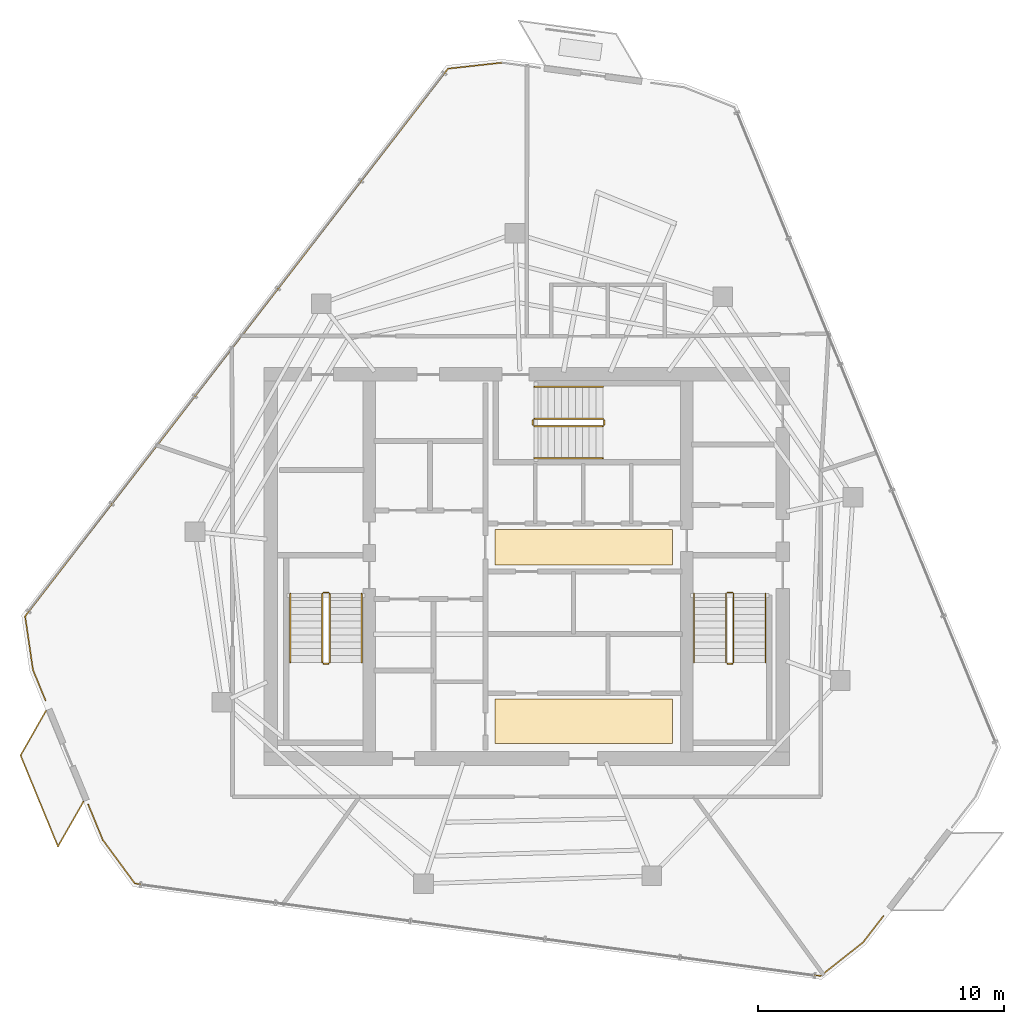
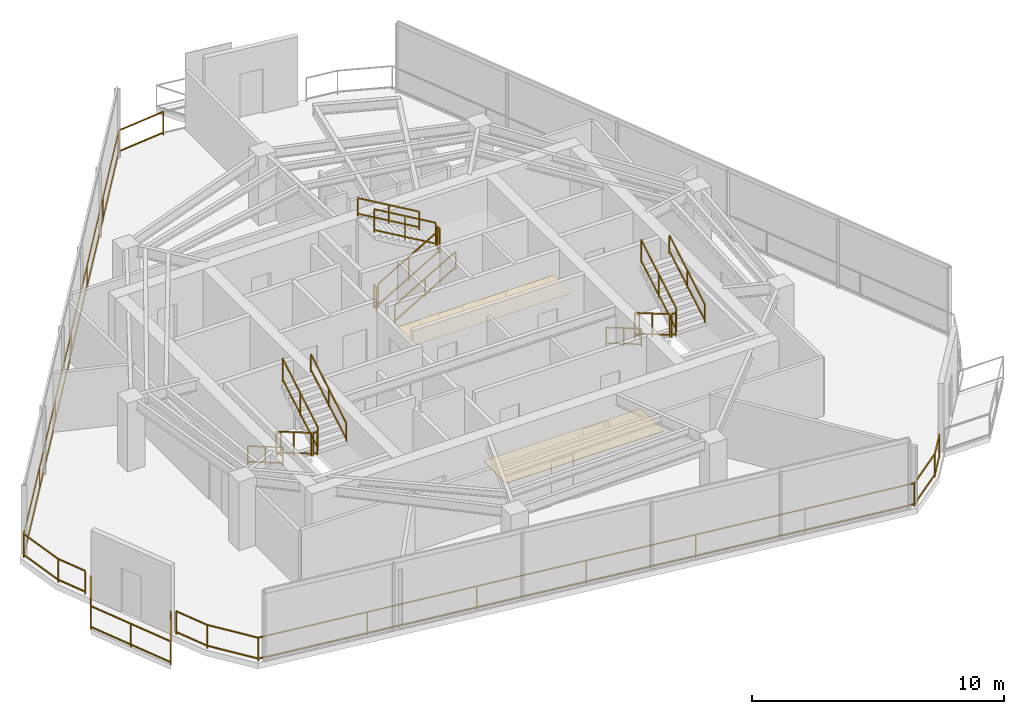
# One storey, part 18 of 19: 21 railings, 2 coverings.
"""IFC4 building model written with IfcOpenShell, lengths in metres."""

from ifc_helpers import new_model, si_unit, direction, frame, origin, origin_2d, place, context, subcontext, project, spatial, rectangle, extrude, material, layer, layer_set, type_object, element, save


model = new_model("IFC4")

# Units and contexts
model_context = context("Model", 3, precision=1e-05, world=origin(), true_north=direction((0.0, 1.0)))
body_context = subcontext(model_context, "Body", "Model", "MODEL_VIEW")
ifc_project = project(units=[si_unit("LENGTHUNIT", "METRE"), si_unit("AREAUNIT", "SQUARE_METRE"), si_unit("VOLUMEUNIT", "CUBIC_METRE"), si_unit("PLANEANGLEUNIT", "RADIAN"), si_unit("MASSUNIT", "GRAM", prefix="KILO")], contexts=[model_context])

# Site, building, storey
site_placement = place(None, origin())
site = spatial("IfcSite", under=ifc_project, at=site_placement, CompositionType="ELEMENT")
building_placement = place(site_placement, origin())
building = spatial("IfcBuilding", under=site, at=building_placement, Name="Qarnah Convention Tower", CompositionType="ELEMENT")
storey_placement = place(building_placement, frame((0.0, 0.0, 264.300048828125)))
storey = spatial("IfcBuildingStorey", under=building, at=storey_placement, Name="L71", CompositionType="ELEMENT", Elevation=264.300048828125)

# Coverings
ifc_material_1 = material(Name="Mineral fibre acoustic ceiling")
ifc_layer_1 = layer(ifc_material_1, 0.02001953125)
ifc_layer_set_1 = layer_set([ifc_layer_1], Name="Mineral fibre acoustic ceiling")
covering_type_1 = type_object("IfcCoveringType", Name="COV-CEIL-20", PredefinedType="CEILING", material=ifc_layer_set_1)
covering_1_placement = place(storey_placement, frame((39.52001953125, 27.179931640625, 2.2900390625), z_axis=(0.0, 0.0, 1.0), x_axis=(1.0, 0.0, 0.0)))
element("IfcCovering", 1, at=covering_1_placement, inside=storey, type_object=covering_type_1, Name="L71 lift lobby acoustic ceiling", PredefinedType="CEILING", context=body_context, shape_type="SweptSolid", body=[
    extrude(rectangle(XDim=7.199951171875, YDim=1.449951171875, at=origin_2d()), origin(), (0.0, 0.0, 1.0), 0.02001953125),
])
ifc_material_2 = material(Name="Porcelain stone floor tile", Category="masonry")
ifc_layer_2 = layer(ifc_material_2, 0.02001953125)
ifc_layer_set_2 = layer_set([ifc_layer_2], Name="Porcelain stone floor tile")
covering_type_2 = type_object("IfcCoveringType", Name="COV-FLOOR-20", PredefinedType="FLOORING", material=ifc_layer_set_2)
covering_2_placement = place(storey_placement, frame((39.52001953125, 20.1201171875, 0.0), z_axis=(0.0, 0.0, 1.0), x_axis=(1.0, 0.0, 0.0)))
element("IfcCovering", 2, at=covering_2_placement, inside=storey, type_object=covering_type_2, Name="L71 lift lobby porcelain stone flooring", PredefinedType="FLOORING", context=body_context, shape_type="SweptSolid", body=[
    extrude(rectangle(XDim=7.199951171875, YDim=1.800048828125, at=origin_2d()), origin(), (0.0, 0.0, 1.0), 0.02001953125),
])

# Railings
ifc_material_3 = material(Name="Black anodised aluminium", Category="aluminium")
railing_type_1 = type_object("IfcRailingType", Name="RL-EXT-GUARD-1150", PredefinedType="GUARDRAIL", material=ifc_material_3)
railing_1_placement = place(storey_placement, frame((51.68701171875, 12.197998046875, 0.0)))
element("IfcRailing", 3, at=railing_1_placement, inside=storey, type_object=railing_type_1, Name="L71 slab-edge perimeter safety guard 03", PredefinedType="GUARDRAIL", context=body_context, shape_type="SweptSolid", body=[
    extrude(rectangle(XDim=0.048095703125, YDim=0.048095703125, at=origin_2d()), frame((0.0, 0.0, 1.1259765625), z_axis=(-0.611137872863, -0.791524162836, 0.0), x_axis=(0.791524162836, -0.611137872863, 0.0)), (0.0, 0.0, 1.0), 1.3466796875),
    extrude(rectangle(XDim=0.048095703125, YDim=0.048095703125, at=origin_2d()), frame((0.0, 0.0, 0.1201171875), z_axis=(-0.611137872863, -0.791524162836, 0.0), x_axis=(0.791524162836, -0.611137872863, 0.0)), (0.0, 0.0, 1.0), 1.3466796875),
    extrude(rectangle(XDim=0.048095703125, YDim=0.048095703125, at=origin_2d()), frame((-0.822998046875, -1.06591796875, 1.1259765625), z_axis=(-0.784590091543, -0.620014829059, 0.0), x_axis=(0.620014829059, -0.784590091543, 0.0)), (0.0, 0.0, 1.0), 2.199951171875),
    extrude(rectangle(XDim=0.048095703125, YDim=0.048095703125, at=origin_2d()), frame((-0.822998046875, -1.06591796875, 0.1201171875), z_axis=(-0.784590091543, -0.620014829059, 0.0), x_axis=(0.620014829059, -0.784590091543, 0.0)), (0.0, 0.0, 1.0), 2.199951171875),
    extrude(rectangle(XDim=0.048095703125, YDim=0.048095703125, at=origin_2d()), frame((-2.549072265625, -2.429931640625, 1.1259765625), z_axis=(-0.991027103975, 0.133661060844, 0.0), x_axis=(-0.133661060844, -0.991027103975, 0.0)), (0.0, 0.0, 1.0), 28.107177734375),
    extrude(rectangle(XDim=0.048095703125, YDim=0.048095703125, at=origin_2d()), frame((-2.549072265625, -2.429931640625, 0.1201171875), z_axis=(-0.991027103975, 0.133661060844, 0.0), x_axis=(-0.133661060844, -0.991027103975, 0.0)), (0.0, 0.0, 1.0), 28.107177734375),
    extrude(rectangle(XDim=0.048095703125, YDim=0.048095703125, at=origin_2d()), frame((-30.404052734375, 1.326904296875, 1.1259765625), z_axis=(-0.5923544295, 0.805677497422, 0.0), x_axis=(-0.805677497422, -0.5923544295, 0.0)), (0.0, 0.0, 1.0), 2.19970703125),
    extrude(rectangle(XDim=0.048095703125, YDim=0.048095703125, at=origin_2d()), frame((-30.404052734375, 1.326904296875, 0.1201171875), z_axis=(-0.5923544295, 0.805677497422, 0.0), x_axis=(-0.805677497422, -0.5923544295, 0.0)), (0.0, 0.0, 1.0), 2.19970703125),
    extrude(rectangle(XDim=0.048095703125, YDim=0.048095703125, at=origin_2d()), frame((-31.70703125, 3.09912109375, 1.1259765625), z_axis=(-0.380048161035, 0.924966699559, 0.0), x_axis=(-0.924966699559, -0.380048161035, 0.0)), (0.0, 0.0, 1.0), 1.557861328125),
    extrude(rectangle(XDim=0.048095703125, YDim=0.048095703125, at=origin_2d()), frame((-31.70703125, 3.09912109375, 0.1201171875), z_axis=(-0.380048161035, 0.924966699559, 0.0), x_axis=(-0.924966699559, -0.380048161035, 0.0)), (0.0, 0.0, 1.0), 1.557861328125),
    extrude(rectangle(XDim=0.0419921875, YDim=0.0419921875, at=origin_2d()), origin(), (0.0, 0.0, 1.0), 1.101806640625),
    extrude(rectangle(XDim=0.0419921875, YDim=0.0419921875, at=origin_2d()), frame((-0.822998046875, -1.06591796875, 0.0)), (0.0, 0.0, 1.0), 1.101806640625),
    extrude(rectangle(XDim=0.0419921875, YDim=0.0419921875, at=origin_2d()), frame((-2.549072265625, -2.429931640625, 0.0)), (0.0, 0.0, 1.0), 1.101806640625),
    extrude(rectangle(XDim=0.0419921875, YDim=0.0419921875, at=origin_2d()), frame((-7.191650390625, -1.8037109375, 0.0)), (0.0, 0.0, 1.0), 1.101806640625),
    extrude(rectangle(XDim=0.0419921875, YDim=0.0419921875, at=origin_2d()), frame((-11.833984375, -1.177734375, 0.0)), (0.0, 0.0, 1.0), 1.101806640625),
    extrude(rectangle(XDim=0.0419921875, YDim=0.0419921875, at=origin_2d()), frame((-16.4765625, -0.551513671875, 0.0)), (0.0, 0.0, 1.0), 1.101806640625),
    extrude(rectangle(XDim=0.0419921875, YDim=0.0419921875, at=origin_2d()), frame((-21.119140625, 0.07470703125, 0.0)), (0.0, 0.0, 1.0), 1.101806640625),
    extrude(rectangle(XDim=0.0419921875, YDim=0.0419921875, at=origin_2d()), frame((-25.761474609375, 0.70068359375, 0.0)), (0.0, 0.0, 1.0), 1.101806640625),
    extrude(rectangle(XDim=0.0419921875, YDim=0.0419921875, at=origin_2d()), frame((-30.404052734375, 1.326904296875, 0.0)), (0.0, 0.0, 1.0), 1.101806640625),
    extrude(rectangle(XDim=0.0419921875, YDim=0.0419921875, at=origin_2d()), frame((-31.70703125, 3.09912109375, 0.0)), (0.0, 0.0, 1.0), 1.101806640625),
    extrude(rectangle(XDim=0.0419921875, YDim=0.0419921875, at=origin_2d()), frame((-32.299072265625, 4.5400390625, 0.0)), (0.0, 0.0, 1.0), 1.101806640625),
])
railing_2_placement = place(storey_placement, frame((17.656982421875, 20.9560546875, 0.0)))
element("IfcRailing", 4, at=railing_2_placement, inside=storey, type_object=railing_type_1, Name="L71 slab-edge perimeter safety guard 04", PredefinedType="GUARDRAIL", context=body_context, shape_type="SweptSolid", body=[
    extrude(rectangle(XDim=0.048095703125, YDim=0.048095703125, at=origin_2d()), frame((0.0, 0.0, 1.1259765625), z_axis=(-0.379982655387, 0.924993611656, 0.0), x_axis=(-0.924993611656, -0.379982655387, 0.0)), (0.0, 0.0, 1.0), 1.3447265625),
    extrude(rectangle(XDim=0.048095703125, YDim=0.048095703125, at=origin_2d()), frame((0.0, 0.0, 0.1201171875), z_axis=(-0.379982655387, 0.924993611656, 0.0), x_axis=(-0.924993611656, -0.379982655387, 0.0)), (0.0, 0.0, 1.0), 1.3447265625),
    extrude(rectangle(XDim=0.048095703125, YDim=0.048095703125, at=origin_2d()), frame((-0.510986328125, 1.243896484375, 1.1259765625), z_axis=(-0.145024391698, 0.989428080162, 0.0), x_axis=(-0.989428080162, -0.145024391698, 0.0)), (0.0, 0.0, 1.0), 2.2001953125),
    extrude(rectangle(XDim=0.048095703125, YDim=0.048095703125, at=origin_2d()), frame((-0.510986328125, 1.243896484375, 0.1201171875), z_axis=(-0.145024391698, 0.989428080162, 0.0), x_axis=(-0.989428080162, -0.145024391698, 0.0)), (0.0, 0.0, 1.0), 2.2001953125),
    extrude(rectangle(XDim=0.048095703125, YDim=0.048095703125, at=origin_2d()), frame((-0.830078125, 3.4208984375, 1.1259765625), z_axis=(0.611263563104, 0.791427101142, 0.0), x_axis=(-0.791427101142, 0.611263563104, 0.0)), (0.0, 0.0, 1.0), 28.107666015625),
    extrude(rectangle(XDim=0.048095703125, YDim=0.048095703125, at=origin_2d()), frame((-0.830078125, 3.4208984375, 0.1201171875), z_axis=(0.611263563104, 0.791427101142, 0.0), x_axis=(-0.791427101142, 0.611263563104, 0.0)), (0.0, 0.0, 1.0), 28.107666015625),
    extrude(rectangle(XDim=0.048095703125, YDim=0.048095703125, at=origin_2d()), frame((16.35107421875, 25.666015625, 1.1259765625), z_axis=(0.993882380956, 0.110443708851, 0.0), x_axis=(-0.110443708851, 0.993882380956, 0.0)), (0.0, 0.0, 1.0), 2.199462890625),
    extrude(rectangle(XDim=0.048095703125, YDim=0.048095703125, at=origin_2d()), frame((16.35107421875, 25.666015625, 0.1201171875), z_axis=(0.993882380956, 0.110443708851, 0.0), x_axis=(-0.110443708851, 0.993882380956, 0.0)), (0.0, 0.0, 1.0), 2.199462890625),
    extrude(rectangle(XDim=0.0419921875, YDim=0.0419921875, at=origin_2d()), origin(), (0.0, 0.0, 1.0), 1.101806640625),
    extrude(rectangle(XDim=0.0419921875, YDim=0.0419921875, at=origin_2d()), frame((-0.510986328125, 1.243896484375, 0.0)), (0.0, 0.0, 1.0), 1.101806640625),
    extrude(rectangle(XDim=0.0419921875, YDim=0.0419921875, at=origin_2d()), frame((-0.830078125, 3.4208984375, 0.0)), (0.0, 0.0, 1.0), 1.101806640625),
    extrude(rectangle(XDim=0.0419921875, YDim=0.0419921875, at=origin_2d()), frame((2.033447265625, 7.12841796875, 0.0)), (0.0, 0.0, 1.0), 1.101806640625),
    extrude(rectangle(XDim=0.0419921875, YDim=0.0419921875, at=origin_2d()), frame((4.89697265625, 10.8359375, 0.0)), (0.0, 0.0, 1.0), 1.101806640625),
    extrude(rectangle(XDim=0.0419921875, YDim=0.0419921875, at=origin_2d()), frame((7.760498046875, 14.54345703125, 0.0)), (0.0, 0.0, 1.0), 1.101806640625),
    extrude(rectangle(XDim=0.0419921875, YDim=0.0419921875, at=origin_2d()), frame((10.6240234375, 18.2509765625, 0.0)), (0.0, 0.0, 1.0), 1.101806640625),
    extrude(rectangle(XDim=0.0419921875, YDim=0.0419921875, at=origin_2d()), frame((13.487548828125, 21.95849609375, 0.0)), (0.0, 0.0, 1.0), 1.101806640625),
    extrude(rectangle(XDim=0.0419921875, YDim=0.0419921875, at=origin_2d()), frame((16.35107421875, 25.666015625, 0.0)), (0.0, 0.0, 1.0), 1.101806640625),
    extrude(rectangle(XDim=0.0419921875, YDim=0.0419921875, at=origin_2d()), frame((18.537109375, 25.908935546875, 0.0)), (0.0, 0.0, 1.0), 1.101806640625),
])
railing_3_placement = place(storey_placement, frame((19.197021484375, 16.846923828125, 0.0)))
element("IfcRailing", 5, at=railing_3_placement, inside=storey, type_object=railing_type_1, Name="L71 balcony safety guard BAL-L71-C2", PredefinedType="GUARDRAIL", context=body_context, shape_type="SweptSolid", body=[
    extrude(rectangle(XDim=0.048095703125, YDim=0.048095703125, at=origin_2d()), frame((0.0, 0.0, 1.1259765625), z_axis=(-0.494982952582, -0.868902685376, 0.0), x_axis=(0.868902685376, -0.494982952582, 0.0)), (0.0, 0.0, 1.0), 2.09326171875),
    extrude(rectangle(XDim=0.048095703125, YDim=0.048095703125, at=origin_2d()), frame((0.0, 0.0, 0.1201171875), z_axis=(-0.494982952582, -0.868902685376, 0.0), x_axis=(0.868902685376, -0.494982952582, 0.0)), (0.0, 0.0, 1.0), 2.09326171875),
    extrude(rectangle(XDim=0.048095703125, YDim=0.048095703125, at=origin_2d()), frame((-1.0361328125, -1.81884765625, 1.1259765625), z_axis=(-0.379951495299, 0.925006411448, 0.0), x_axis=(-0.925006411448, -0.379951495299, 0.0)), (0.0, 0.0, 1.0), 4.0),
    extrude(rectangle(XDim=0.048095703125, YDim=0.048095703125, at=origin_2d()), frame((-1.0361328125, -1.81884765625, 0.1201171875), z_axis=(-0.379951495299, 0.925006411448, 0.0), x_axis=(-0.925006411448, -0.379951495299, 0.0)), (0.0, 0.0, 1.0), 4.0),
    extrude(rectangle(XDim=0.048095703125, YDim=0.048095703125, at=origin_2d()), frame((-2.555908203125, 1.881103515625, 1.1259765625), z_axis=(0.494996299538, 0.868895081954, 0.0), x_axis=(-0.868895081954, 0.494996299538, 0.0)), (0.0, 0.0, 1.0), 2.0947265625),
    extrude(rectangle(XDim=0.048095703125, YDim=0.048095703125, at=origin_2d()), frame((-2.555908203125, 1.881103515625, 0.1201171875), z_axis=(0.494996299538, 0.868895081954, 0.0), x_axis=(-0.868895081954, 0.494996299538, 0.0)), (0.0, 0.0, 1.0), 2.0947265625),
    extrude(rectangle(XDim=0.0419921875, YDim=0.0419921875, at=origin_2d()), origin(), (0.0, 0.0, 1.0), 1.101806640625),
    extrude(rectangle(XDim=0.0419921875, YDim=0.0419921875, at=origin_2d()), frame((-1.0361328125, -1.81884765625, 0.0)), (0.0, 0.0, 1.0), 1.101806640625),
    extrude(rectangle(XDim=0.0419921875, YDim=0.0419921875, at=origin_2d()), frame((-1.7958984375, 0.03125, 0.0)), (0.0, 0.0, 1.0), 1.101806640625),
    extrude(rectangle(XDim=0.0419921875, YDim=0.0419921875, at=origin_2d()), frame((-2.555908203125, 1.881103515625, 0.0)), (0.0, 0.0, 1.0), 1.101806640625),
    extrude(rectangle(XDim=0.0419921875, YDim=0.0419921875, at=origin_2d()), frame((-1.51904296875, 3.701171875, 0.0)), (0.0, 0.0, 1.0), 1.101806640625),
])
ifc_material_4 = material(Name="Structural steel S355JR", Category="steel")
railing_type_2 = type_object("IfcRailingType", Name="RL-STAIR-GUARD-1150", PredefinedType="GUARDRAIL", material=ifc_material_4)
railing_4_placement = place(storey_placement, frame((28.89990234375, 25.300048828125, 0.16357421875)))
element("IfcRailing", 6, at=railing_4_placement, inside=storey, type_object=railing_type_2, Name="L71 ST-1 stair guard 1", PredefinedType="GUARDRAIL", context=body_context, shape_type="SweptSolid", body=[
    extrude(rectangle(XDim=0.048095703125, YDim=0.048095703125, at=origin_2d()), frame((0.0, 0.0, 1.1259765625), z_axis=(0.0, -0.863360870873, 0.504586966384), x_axis=(1.0, 0.0, 0.0)), (0.0, 0.0, 1.0), 3.2431640625),
    extrude(rectangle(XDim=0.048095703125, YDim=0.048095703125, at=origin_2d()), frame((0.0, 0.0, 0.1201171875), z_axis=(0.0, -0.863360870873, 0.504586966384), x_axis=(1.0, 0.0, 0.0)), (0.0, 0.0, 1.0), 3.2431640625),
    extrude(rectangle(XDim=0.0419921875, YDim=0.0419921875, at=origin_2d()), origin(), (0.0, 0.0, 1.0), 1.101806640625),
    extrude(rectangle(XDim=0.0419921875, YDim=0.0419921875, at=origin_2d()), frame((0.0, -1.39990234375, 0.818359375)), (0.0, 0.0, 1.0), 1.101806640625),
    extrude(rectangle(XDim=0.0419921875, YDim=0.0419921875, at=origin_2d()), frame((0.0, -2.800048828125, 1.636474609375)), (0.0, 0.0, 1.0), 1.101806640625),
])
railing_5_placement = place(storey_placement, frame((28.949951171875, 22.449951171875, 1.800048828125)))
element("IfcRailing", 7, at=railing_5_placement, inside=storey, type_object=railing_type_2, Name="L71 ST-1 stair guard 2", PredefinedType="GUARDRAIL", context=body_context, shape_type="SweptSolid", body=[
    extrude(rectangle(XDim=0.048095703125, YDim=0.048095703125, at=origin_2d()), frame((0.0, 0.0, 1.1259765625), z_axis=(1.0, 0.0, 0.0), x_axis=(0.0, 1.0, 0.0)), (0.0, 0.0, 1.0), 0.199951171875),
    extrude(rectangle(XDim=0.048095703125, YDim=0.048095703125, at=origin_2d()), frame((0.0, 0.0, 0.1201171875), z_axis=(1.0, 0.0, 0.0), x_axis=(0.0, 1.0, 0.0)), (0.0, 0.0, 1.0), 0.199951171875),
    extrude(rectangle(XDim=0.0419921875, YDim=0.0419921875, at=origin_2d()), origin(), (0.0, 0.0, 1.0), 1.101806640625),
    extrude(rectangle(XDim=0.0419921875, YDim=0.0419921875, at=origin_2d()), frame((0.199951171875, 0.0, 0.0)), (0.0, 0.0, 1.0), 1.101806640625),
])
railing_6_placement = place(storey_placement, frame((29.199951171875, 22.5, 1.963623046875)))
element("IfcRailing", 8, at=railing_6_placement, inside=storey, type_object=railing_type_2, Name="L71 ST-1 stair guard 3", PredefinedType="GUARDRAIL", context=body_context, shape_type="SweptSolid", body=[
    extrude(rectangle(XDim=0.048095703125, YDim=0.048095703125, at=origin_2d()), frame((0.0, 0.0, 1.1259765625), z_axis=(0.0, 0.863393664356, 0.504530851732), x_axis=(-1.0, 0.0, 0.0)), (0.0, 0.0, 1.0), 3.2431640625),
    extrude(rectangle(XDim=0.048095703125, YDim=0.048095703125, at=origin_2d()), frame((0.0, 0.0, 0.1201171875), z_axis=(0.0, 0.863393664356, 0.504530851732), x_axis=(-1.0, 0.0, 0.0)), (0.0, 0.0, 1.0), 3.2431640625),
    extrude(rectangle(XDim=0.0419921875, YDim=0.0419921875, at=origin_2d()), origin(), (0.0, 0.0, 1.0), 1.101806640625),
    extrude(rectangle(XDim=0.0419921875, YDim=0.0419921875, at=origin_2d()), frame((0.0, 1.39990234375, 0.818115234375)), (0.0, 0.0, 1.0), 1.101806640625),
    extrude(rectangle(XDim=0.0419921875, YDim=0.0419921875, at=origin_2d()), frame((0.0, 2.800048828125, 1.63623046875)), (0.0, 0.0, 1.0), 1.101806640625),
])
railing_7_placement = place(storey_placement, frame((28.949951171875, 25.35009765625, 0.0)))
element("IfcRailing", 9, at=railing_7_placement, inside=storey, type_object=railing_type_2, Name="L71 ST-1 stair guard 4", PredefinedType="GUARDRAIL", context=body_context, shape_type="SweptSolid", body=[
    extrude(rectangle(XDim=0.048095703125, YDim=0.048095703125, at=origin_2d()), frame((0.0, 0.0, 1.1259765625), z_axis=(1.0, 0.0, 0.0), x_axis=(0.0, 1.0, 0.0)), (0.0, 0.0, 1.0), 0.199951171875),
    extrude(rectangle(XDim=0.048095703125, YDim=0.048095703125, at=origin_2d()), frame((0.0, 0.0, 0.1201171875), z_axis=(1.0, 0.0, 0.0), x_axis=(0.0, 1.0, 0.0)), (0.0, 0.0, 1.0), 0.199951171875),
    extrude(rectangle(XDim=0.0419921875, YDim=0.0419921875, at=origin_2d()), origin(), (0.0, 0.0, 1.0), 1.101806640625),
    extrude(rectangle(XDim=0.0419921875, YDim=0.0419921875, at=origin_2d()), frame((0.199951171875, 0.0, 0.0)), (0.0, 0.0, 1.0), 1.101806640625),
])
railing_8_placement = place(storey_placement, frame((45.300048828125, 25.300048828125, 0.16357421875)))
element("IfcRailing", 10, at=railing_8_placement, inside=storey, type_object=railing_type_2, Name="L71 ST-2 stair guard 1", PredefinedType="GUARDRAIL", context=body_context, shape_type="SweptSolid", body=[
    extrude(rectangle(XDim=0.048095703125, YDim=0.048095703125, at=origin_2d()), frame((0.0, 0.0, 1.1259765625), z_axis=(0.0, -0.863360870873, 0.504586966384), x_axis=(1.0, 0.0, 0.0)), (0.0, 0.0, 1.0), 3.2431640625),
    extrude(rectangle(XDim=0.048095703125, YDim=0.048095703125, at=origin_2d()), frame((0.0, 0.0, 0.1201171875), z_axis=(0.0, -0.863360870873, 0.504586966384), x_axis=(1.0, 0.0, 0.0)), (0.0, 0.0, 1.0), 3.2431640625),
    extrude(rectangle(XDim=0.0419921875, YDim=0.0419921875, at=origin_2d()), origin(), (0.0, 0.0, 1.0), 1.101806640625),
    extrude(rectangle(XDim=0.0419921875, YDim=0.0419921875, at=origin_2d()), frame((0.0, -1.39990234375, 0.818359375)), (0.0, 0.0, 1.0), 1.101806640625),
    extrude(rectangle(XDim=0.0419921875, YDim=0.0419921875, at=origin_2d()), frame((0.0, -2.800048828125, 1.636474609375)), (0.0, 0.0, 1.0), 1.101806640625),
])
railing_9_placement = place(storey_placement, frame((45.35009765625, 22.449951171875, 1.800048828125)))
element("IfcRailing", 11, at=railing_9_placement, inside=storey, type_object=railing_type_2, Name="L71 ST-2 stair guard 2", PredefinedType="GUARDRAIL", context=body_context, shape_type="SweptSolid", body=[
    extrude(rectangle(XDim=0.048095703125, YDim=0.048095703125, at=origin_2d()), frame((0.0, 0.0, 1.1259765625), z_axis=(1.0, 0.0, 0.0), x_axis=(0.0, 1.0, 0.0)), (0.0, 0.0, 1.0), 0.199951171875),
    extrude(rectangle(XDim=0.048095703125, YDim=0.048095703125, at=origin_2d()), frame((0.0, 0.0, 0.1201171875), z_axis=(1.0, 0.0, 0.0), x_axis=(0.0, 1.0, 0.0)), (0.0, 0.0, 1.0), 0.199951171875),
    extrude(rectangle(XDim=0.0419921875, YDim=0.0419921875, at=origin_2d()), origin(), (0.0, 0.0, 1.0), 1.101806640625),
    extrude(rectangle(XDim=0.0419921875, YDim=0.0419921875, at=origin_2d()), frame((0.199951171875, 0.0, 0.0)), (0.0, 0.0, 1.0), 1.101806640625),
])
railing_10_placement = place(storey_placement, frame((45.60009765625, 22.5, 1.963623046875)))
element("IfcRailing", 12, at=railing_10_placement, inside=storey, type_object=railing_type_2, Name="L71 ST-2 stair guard 3", PredefinedType="GUARDRAIL", context=body_context, shape_type="SweptSolid", body=[
    extrude(rectangle(XDim=0.048095703125, YDim=0.048095703125, at=origin_2d()), frame((0.0, 0.0, 1.1259765625), z_axis=(0.0, 0.863393664356, 0.504530851732), x_axis=(-1.0, 0.0, 0.0)), (0.0, 0.0, 1.0), 3.2431640625),
    extrude(rectangle(XDim=0.048095703125, YDim=0.048095703125, at=origin_2d()), frame((0.0, 0.0, 0.1201171875), z_axis=(0.0, 0.863393664356, 0.504530851732), x_axis=(-1.0, 0.0, 0.0)), (0.0, 0.0, 1.0), 3.2431640625),
    extrude(rectangle(XDim=0.0419921875, YDim=0.0419921875, at=origin_2d()), origin(), (0.0, 0.0, 1.0), 1.101806640625),
    extrude(rectangle(XDim=0.0419921875, YDim=0.0419921875, at=origin_2d()), frame((0.0, 1.39990234375, 0.818115234375)), (0.0, 0.0, 1.0), 1.101806640625),
    extrude(rectangle(XDim=0.0419921875, YDim=0.0419921875, at=origin_2d()), frame((0.0, 2.800048828125, 1.63623046875)), (0.0, 0.0, 1.0), 1.101806640625),
])
railing_11_placement = place(storey_placement, frame((45.35009765625, 25.35009765625, 0.0)))
element("IfcRailing", 13, at=railing_11_placement, inside=storey, type_object=railing_type_2, Name="L71 ST-2 stair guard 4", PredefinedType="GUARDRAIL", context=body_context, shape_type="SweptSolid", body=[
    extrude(rectangle(XDim=0.048095703125, YDim=0.048095703125, at=origin_2d()), frame((0.0, 0.0, 1.1259765625), z_axis=(1.0, 0.0, 0.0), x_axis=(0.0, 1.0, 0.0)), (0.0, 0.0, 1.0), 0.199951171875),
    extrude(rectangle(XDim=0.048095703125, YDim=0.048095703125, at=origin_2d()), frame((0.0, 0.0, 0.1201171875), z_axis=(1.0, 0.0, 0.0), x_axis=(0.0, 1.0, 0.0)), (0.0, 0.0, 1.0), 0.199951171875),
    extrude(rectangle(XDim=0.0419921875, YDim=0.0419921875, at=origin_2d()), origin(), (0.0, 0.0, 1.0), 1.101806640625),
    extrude(rectangle(XDim=0.0419921875, YDim=0.0419921875, at=origin_2d()), frame((0.199951171875, 0.0, 0.0)), (0.0, 0.0, 1.0), 1.101806640625),
])
railing_12_placement = place(storey_placement, frame((37.5, 32.10009765625, 0.16357421875)))
element("IfcRailing", 14, at=railing_12_placement, inside=storey, type_object=railing_type_2, Name="L71 ST-3 stair guard 1", PredefinedType="GUARDRAIL", context=body_context, shape_type="SweptSolid", body=[
    extrude(rectangle(XDim=0.048095703125, YDim=0.048095703125, at=origin_2d()), frame((0.0, 0.0, 1.1259765625), z_axis=(0.863360870873, 0.0, 0.504586966384), x_axis=(0.0, 1.0, 0.0)), (0.0, 0.0, 1.0), 3.2431640625),
    extrude(rectangle(XDim=0.048095703125, YDim=0.048095703125, at=origin_2d()), frame((0.0, 0.0, 0.1201171875), z_axis=(0.863360870873, 0.0, 0.504586966384), x_axis=(0.0, 1.0, 0.0)), (0.0, 0.0, 1.0), 3.2431640625),
    extrude(rectangle(XDim=0.0419921875, YDim=0.0419921875, at=origin_2d()), origin(), (0.0, 0.0, 1.0), 1.101806640625),
    extrude(rectangle(XDim=0.0419921875, YDim=0.0419921875, at=origin_2d()), frame((1.39990234375, 0.0, 0.818359375)), (0.0, 0.0, 1.0), 1.101806640625),
    extrude(rectangle(XDim=0.0419921875, YDim=0.0419921875, at=origin_2d()), frame((2.800048828125, 0.0, 1.636474609375)), (0.0, 0.0, 1.0), 1.101806640625),
])
railing_13_placement = place(storey_placement, frame((40.35009765625, 32.14990234375, 1.800048828125)))
element("IfcRailing", 15, at=railing_13_placement, inside=storey, type_object=railing_type_2, Name="L71 ST-3 stair guard 2", PredefinedType="GUARDRAIL", context=body_context, shape_type="SweptSolid", body=[
    extrude(rectangle(XDim=0.048095703125, YDim=0.048095703125, at=origin_2d()), frame((0.0, 0.0, 1.1259765625), z_axis=(0.0, 1.0, 0.0), x_axis=(-1.0, 0.0, 0.0)), (0.0, 0.0, 1.0), 0.2001953125),
    extrude(rectangle(XDim=0.048095703125, YDim=0.048095703125, at=origin_2d()), frame((0.0, 0.0, 0.1201171875), z_axis=(0.0, 1.0, 0.0), x_axis=(-1.0, 0.0, 0.0)), (0.0, 0.0, 1.0), 0.2001953125),
    extrude(rectangle(XDim=0.0419921875, YDim=0.0419921875, at=origin_2d()), origin(), (0.0, 0.0, 1.0), 1.101806640625),
    extrude(rectangle(XDim=0.0419921875, YDim=0.0419921875, at=origin_2d()), frame((0.0, 0.2001953125, 0.0)), (0.0, 0.0, 1.0), 1.101806640625),
])
railing_14_placement = place(storey_placement, frame((40.300048828125, 32.39990234375, 1.963623046875)))
element("IfcRailing", 16, at=railing_14_placement, inside=storey, type_object=railing_type_2, Name="L71 ST-3 stair guard 3", PredefinedType="GUARDRAIL", context=body_context, shape_type="SweptSolid", body=[
    extrude(rectangle(XDim=0.048095703125, YDim=0.048095703125, at=origin_2d()), frame((0.0, 0.0, 1.1259765625), z_axis=(-0.863393664356, 0.0, 0.504530851732), x_axis=(0.0, -1.0, 0.0)), (0.0, 0.0, 1.0), 3.2431640625),
    extrude(rectangle(XDim=0.048095703125, YDim=0.048095703125, at=origin_2d()), frame((0.0, 0.0, 0.1201171875), z_axis=(-0.863393664356, 0.0, 0.504530851732), x_axis=(0.0, -1.0, 0.0)), (0.0, 0.0, 1.0), 3.2431640625),
    extrude(rectangle(XDim=0.0419921875, YDim=0.0419921875, at=origin_2d()), origin(), (0.0, 0.0, 1.0), 1.101806640625),
    extrude(rectangle(XDim=0.0419921875, YDim=0.0419921875, at=origin_2d()), frame((-1.39990234375, 0.0, 0.818115234375)), (0.0, 0.0, 1.0), 1.101806640625),
    extrude(rectangle(XDim=0.0419921875, YDim=0.0419921875, at=origin_2d()), frame((-2.800048828125, 0.0, 1.63623046875)), (0.0, 0.0, 1.0), 1.101806640625),
])
railing_15_placement = place(storey_placement, frame((37.449951171875, 32.14990234375, 0.0)))
element("IfcRailing", 17, at=railing_15_placement, inside=storey, type_object=railing_type_2, Name="L71 ST-3 stair guard 4", PredefinedType="GUARDRAIL", context=body_context, shape_type="SweptSolid", body=[
    extrude(rectangle(XDim=0.048095703125, YDim=0.048095703125, at=origin_2d()), frame((0.0, 0.0, 1.1259765625), z_axis=(0.0, 1.0, 0.0), x_axis=(-1.0, 0.0, 0.0)), (0.0, 0.0, 1.0), 0.2001953125),
    extrude(rectangle(XDim=0.048095703125, YDim=0.048095703125, at=origin_2d()), frame((0.0, 0.0, 0.1201171875), z_axis=(0.0, 1.0, 0.0), x_axis=(-1.0, 0.0, 0.0)), (0.0, 0.0, 1.0), 0.2001953125),
    extrude(rectangle(XDim=0.0419921875, YDim=0.0419921875, at=origin_2d()), origin(), (0.0, 0.0, 1.0), 1.101806640625),
    extrude(rectangle(XDim=0.0419921875, YDim=0.0419921875, at=origin_2d()), frame((0.0, 0.2001953125, 0.0)), (0.0, 0.0, 1.0), 1.101806640625),
])
railing_type_3 = type_object("IfcRailingType", Name="RL-STAIR-HAND-900", PredefinedType="HANDRAIL", material=ifc_material_4)
railing_16_placement = place(storey_placement, frame((27.60009765625, 25.300048828125, 0.16357421875)))
element("IfcRailing", 18, at=railing_16_placement, inside=storey, type_object=railing_type_3, Name="L71 ST-1 stair handrail 1", PredefinedType="HANDRAIL", context=body_context, shape_type="SweptSolid", body=[
    extrude(rectangle(XDim=0.048095703125, YDim=0.048095703125, at=origin_2d()), frame((0.0, 0.0, 0.8759765625), z_axis=(0.0, -0.863360870873, 0.504586966384), x_axis=(1.0, 0.0, 0.0)), (0.0, 0.0, 1.0), 3.2431640625),
    extrude(rectangle(XDim=0.048095703125, YDim=0.048095703125, at=origin_2d()), frame((0.0, 0.0, 0.1201171875), z_axis=(0.0, -0.863360870873, 0.504586966384), x_axis=(1.0, 0.0, 0.0)), (0.0, 0.0, 1.0), 3.2431640625),
    extrude(rectangle(XDim=0.0419921875, YDim=0.0419921875, at=origin_2d()), origin(), (0.0, 0.0, 1.0), 0.851806640625),
    extrude(rectangle(XDim=0.0419921875, YDim=0.0419921875, at=origin_2d()), frame((0.0, -1.39990234375, 0.818359375)), (0.0, 0.0, 1.0), 0.851806640625),
    extrude(rectangle(XDim=0.0419921875, YDim=0.0419921875, at=origin_2d()), frame((0.0, -2.800048828125, 1.636474609375)), (0.0, 0.0, 1.0), 0.851806640625),
])
railing_17_placement = place(storey_placement, frame((30.5, 22.5, 1.963623046875)))
element("IfcRailing", 19, at=railing_17_placement, inside=storey, type_object=railing_type_3, Name="L71 ST-1 stair handrail 2", PredefinedType="HANDRAIL", context=body_context, shape_type="SweptSolid", body=[
    extrude(rectangle(XDim=0.048095703125, YDim=0.048095703125, at=origin_2d()), frame((0.0, 0.0, 0.8759765625), z_axis=(0.0, 0.863393664356, 0.504530851732), x_axis=(-1.0, 0.0, 0.0)), (0.0, 0.0, 1.0), 3.2431640625),
    extrude(rectangle(XDim=0.048095703125, YDim=0.048095703125, at=origin_2d()), frame((0.0, 0.0, 0.1201171875), z_axis=(0.0, 0.863393664356, 0.504530851732), x_axis=(-1.0, 0.0, 0.0)), (0.0, 0.0, 1.0), 3.2431640625),
    extrude(rectangle(XDim=0.0419921875, YDim=0.0419921875, at=origin_2d()), origin(), (0.0, 0.0, 1.0), 0.851806640625),
    extrude(rectangle(XDim=0.0419921875, YDim=0.0419921875, at=origin_2d()), frame((0.0, 1.39990234375, 0.818115234375)), (0.0, 0.0, 1.0), 0.851806640625),
    extrude(rectangle(XDim=0.0419921875, YDim=0.0419921875, at=origin_2d()), frame((0.0, 2.800048828125, 1.63623046875)), (0.0, 0.0, 1.0), 0.851806640625),
])
railing_18_placement = place(storey_placement, frame((44.0, 25.300048828125, 0.16357421875)))
element("IfcRailing", 20, at=railing_18_placement, inside=storey, type_object=railing_type_3, Name="L71 ST-2 stair handrail 1", PredefinedType="HANDRAIL", context=body_context, shape_type="SweptSolid", body=[
    extrude(rectangle(XDim=0.048095703125, YDim=0.048095703125, at=origin_2d()), frame((0.0, 0.0, 0.8759765625), z_axis=(0.0, -0.863360870873, 0.504586966384), x_axis=(1.0, 0.0, 0.0)), (0.0, 0.0, 1.0), 3.2431640625),
    extrude(rectangle(XDim=0.048095703125, YDim=0.048095703125, at=origin_2d()), frame((0.0, 0.0, 0.1201171875), z_axis=(0.0, -0.863360870873, 0.504586966384), x_axis=(1.0, 0.0, 0.0)), (0.0, 0.0, 1.0), 3.2431640625),
    extrude(rectangle(XDim=0.0419921875, YDim=0.0419921875, at=origin_2d()), origin(), (0.0, 0.0, 1.0), 0.851806640625),
    extrude(rectangle(XDim=0.0419921875, YDim=0.0419921875, at=origin_2d()), frame((0.0, -1.39990234375, 0.818359375)), (0.0, 0.0, 1.0), 0.851806640625),
    extrude(rectangle(XDim=0.0419921875, YDim=0.0419921875, at=origin_2d()), frame((0.0, -2.800048828125, 1.636474609375)), (0.0, 0.0, 1.0), 0.851806640625),
])
railing_19_placement = place(storey_placement, frame((46.89990234375, 22.5, 1.963623046875)))
element("IfcRailing", 21, at=railing_19_placement, inside=storey, type_object=railing_type_3, Name="L71 ST-2 stair handrail 2", PredefinedType="HANDRAIL", context=body_context, shape_type="SweptSolid", body=[
    extrude(rectangle(XDim=0.048095703125, YDim=0.048095703125, at=origin_2d()), frame((0.0, 0.0, 0.8759765625), z_axis=(0.0, 0.863393664356, 0.504530851732), x_axis=(-1.0, 0.0, 0.0)), (0.0, 0.0, 1.0), 3.2431640625),
    extrude(rectangle(XDim=0.048095703125, YDim=0.048095703125, at=origin_2d()), frame((0.0, 0.0, 0.1201171875), z_axis=(0.0, 0.863393664356, 0.504530851732), x_axis=(-1.0, 0.0, 0.0)), (0.0, 0.0, 1.0), 3.2431640625),
    extrude(rectangle(XDim=0.0419921875, YDim=0.0419921875, at=origin_2d()), origin(), (0.0, 0.0, 1.0), 0.851806640625),
    extrude(rectangle(XDim=0.0419921875, YDim=0.0419921875, at=origin_2d()), frame((0.0, 1.39990234375, 0.818115234375)), (0.0, 0.0, 1.0), 0.851806640625),
    extrude(rectangle(XDim=0.0419921875, YDim=0.0419921875, at=origin_2d()), frame((0.0, 2.800048828125, 1.63623046875)), (0.0, 0.0, 1.0), 0.851806640625),
])
railing_20_placement = place(storey_placement, frame((37.5, 30.800048828125, 0.16357421875)))
element("IfcRailing", 22, at=railing_20_placement, inside=storey, type_object=railing_type_3, Name="L71 ST-3 stair handrail 1", PredefinedType="HANDRAIL", context=body_context, shape_type="SweptSolid", body=[
    extrude(rectangle(XDim=0.048095703125, YDim=0.048095703125, at=origin_2d()), frame((0.0, 0.0, 0.8759765625), z_axis=(0.863360870873, 0.0, 0.504586966384), x_axis=(0.0, 1.0, 0.0)), (0.0, 0.0, 1.0), 3.2431640625),
    extrude(rectangle(XDim=0.048095703125, YDim=0.048095703125, at=origin_2d()), frame((0.0, 0.0, 0.1201171875), z_axis=(0.863360870873, 0.0, 0.504586966384), x_axis=(0.0, 1.0, 0.0)), (0.0, 0.0, 1.0), 3.2431640625),
    extrude(rectangle(XDim=0.0419921875, YDim=0.0419921875, at=origin_2d()), origin(), (0.0, 0.0, 1.0), 0.851806640625),
    extrude(rectangle(XDim=0.0419921875, YDim=0.0419921875, at=origin_2d()), frame((1.39990234375, 0.0, 0.818359375)), (0.0, 0.0, 1.0), 0.851806640625),
    extrude(rectangle(XDim=0.0419921875, YDim=0.0419921875, at=origin_2d()), frame((2.800048828125, 0.0, 1.636474609375)), (0.0, 0.0, 1.0), 0.851806640625),
])
railing_21_placement = place(storey_placement, frame((40.300048828125, 33.699951171875, 1.963623046875)))
element("IfcRailing", 23, at=railing_21_placement, inside=storey, type_object=railing_type_3, Name="L71 ST-3 stair handrail 2", PredefinedType="HANDRAIL", context=body_context, shape_type="SweptSolid", body=[
    extrude(rectangle(XDim=0.048095703125, YDim=0.048095703125, at=origin_2d()), frame((0.0, 0.0, 0.8759765625), z_axis=(-0.863393664356, 0.0, 0.504530851732), x_axis=(0.0, -1.0, 0.0)), (0.0, 0.0, 1.0), 3.2431640625),
    extrude(rectangle(XDim=0.048095703125, YDim=0.048095703125, at=origin_2d()), frame((0.0, 0.0, 0.1201171875), z_axis=(-0.863393664356, 0.0, 0.504530851732), x_axis=(0.0, -1.0, 0.0)), (0.0, 0.0, 1.0), 3.2431640625),
    extrude(rectangle(XDim=0.0419921875, YDim=0.0419921875, at=origin_2d()), origin(), (0.0, 0.0, 1.0), 0.851806640625),
    extrude(rectangle(XDim=0.0419921875, YDim=0.0419921875, at=origin_2d()), frame((-1.39990234375, 0.0, 0.818115234375)), (0.0, 0.0, 1.0), 0.851806640625),
    extrude(rectangle(XDim=0.0419921875, YDim=0.0419921875, at=origin_2d()), frame((-2.800048828125, 0.0, 1.63623046875)), (0.0, 0.0, 1.0), 0.851806640625),
])

save(model, "model.ifc")
